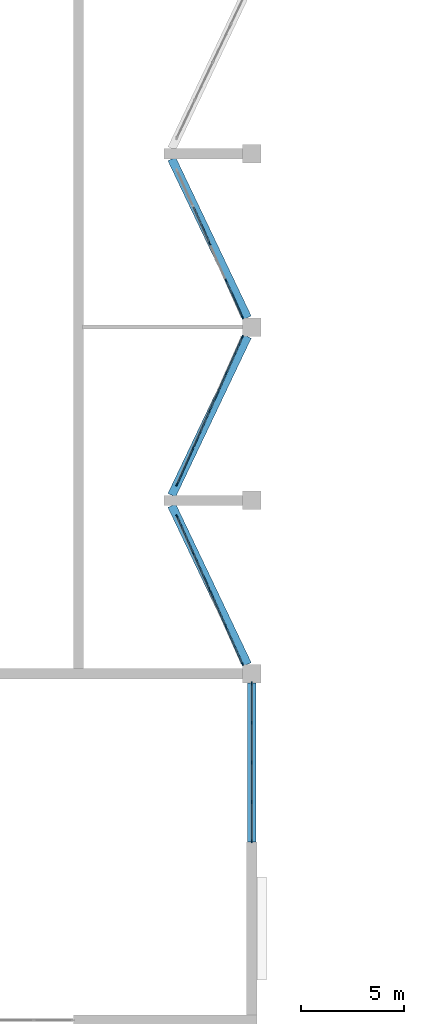
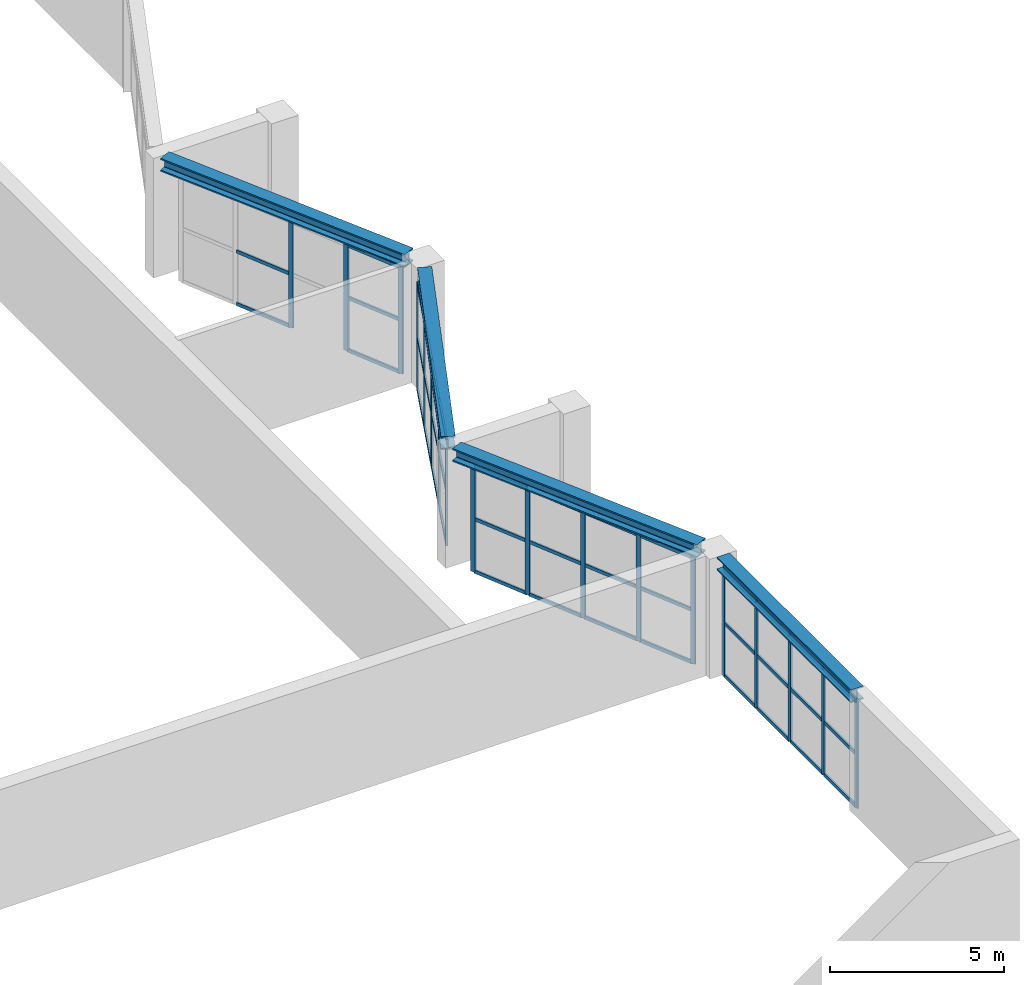
# One storey, part 21 of 51: 59 members, 4 beams, 4 elements without a shape of their own.
"""IFC4 building model written with IfcOpenShell, lengths in metres."""

from ifc_helpers import new_model, si_unit, direction, frame, origin, origin_2d, place, context, subcontext, project, spatial, rectangle, i_section, extrude, material, layer, layer_set, material_profile, profile_set, type_object, element, aggregate, save


model = new_model("IFC4")

# Units and contexts
model_context = context("Model", 3, precision=1e-05, world=origin(), true_north=direction((0.0, 1.0)))
body_context = subcontext(model_context, "Body", "Model", "MODEL_VIEW")
ifc_project = project(units=[si_unit("LENGTHUNIT", "METRE"), si_unit("AREAUNIT", "SQUARE_METRE"), si_unit("VOLUMEUNIT", "CUBIC_METRE"), si_unit("PLANEANGLEUNIT", "RADIAN"), si_unit("MASSUNIT", "GRAM", prefix="KILO")], contexts=[model_context])

# Site, building, storey
site_placement = place(None, origin())
site = spatial("IfcSite", under=ifc_project, at=site_placement, CompositionType="ELEMENT")
building_placement = place(site_placement, origin())
building = spatial("IfcBuilding", under=site, at=building_placement, Name="Cresset Court Congress Hotel", CompositionType="ELEMENT")
storey_placement = place(building_placement, frame((0.0, 0.0, 18.60009765625)))
storey = spatial("IfcBuildingStorey", under=building, at=storey_placement, Name="L04", CompositionType="ELEMENT", Elevation=18.60009765625)

# Curtain wall, members
ifc_material_1 = material(Name="Aluminium and glass", Category="aluminium")
ifc_layer = layer(ifc_material_1, 0.199951171875)
ifc_layer_set = layer_set([ifc_layer], Name="Clerestory curtain wall 1925 module")
curtain_wall_type = type_object("IfcCurtainWallType", Name="Clerestory curtain wall 1925 module", PredefinedType="NOTDEFINED", material=ifc_layer_set)
curtain_wall_1_placement = place(storey_placement, origin())
curtain_wall_1 = element("IfcCurtainWall", 1, at=curtain_wall_1_placement, inside=storey, type_object=curtain_wall_type, Name="Clerestory CX-04E1", PredefinedType="NOTDEFINED")
ifc_material_2 = material(Name="Anodised aluminium", Category="aluminium")
ifc_material_profile_1 = material_profile(ifc_material_2, rectangle(XDim=0.06005859375, YDim=0.159912109375, at=origin_2d()), Name="AL60x160")
ifc_profile_set_1 = profile_set([ifc_material_profile_1], Name="Anodised aluminium")
member_type_1 = type_object("IfcMemberType", Name="Curtain wall mullion 60x160", PredefinedType="MULLION", material=ifc_profile_set_1)
member_1_placement = place(storey_placement, frame((117.60009765625, 67.47998046875, 0.0), z_axis=(0.0, 0.0, 1.0), x_axis=(-1.0, 0.0, 0.0)))
member_1 = element("IfcMember", 2, at=member_1_placement, type_object=member_type_1, Name="C-X5 mullion 1", PredefinedType="MULLION", context=body_context, shape_type="SweptSolid", body=[
    extrude(rectangle(XDim=0.06005859375, YDim=0.159912109375, at=origin_2d()), origin(), (0.0, 0.0, 1.0), 3.741943359375),
])
member_2_placement = place(storey_placement, frame((117.60009765625, 69.375, 0.0), z_axis=(0.0, 0.0, 1.0), x_axis=(-1.0, 0.0, 0.0)))
member_2 = element("IfcMember", 3, at=member_2_placement, type_object=member_type_1, Name="C-X5 mullion 2", PredefinedType="MULLION", context=body_context, shape_type="SweptSolid", body=[
    extrude(rectangle(XDim=0.06005859375, YDim=0.159912109375, at=origin_2d()), origin(), (0.0, 0.0, 1.0), 3.741943359375),
])
member_3_placement = place(storey_placement, frame((117.60009765625, 71.300048828125, 0.0), z_axis=(0.0, 0.0, 1.0), x_axis=(-1.0, 0.0, 0.0)))
member_3 = element("IfcMember", 4, at=member_3_placement, type_object=member_type_1, Name="C-X5 mullion 3", PredefinedType="MULLION", context=body_context, shape_type="SweptSolid", body=[
    extrude(rectangle(XDim=0.06005859375, YDim=0.159912109375, at=origin_2d()), origin(), (0.0, 0.0, 1.0), 3.741943359375),
])
member_4_placement = place(storey_placement, frame((117.60009765625, 73.22509765625, 0.0), z_axis=(0.0, 0.0, 1.0), x_axis=(-1.0, 0.0, 0.0)))
member_4 = element("IfcMember", 5, at=member_4_placement, type_object=member_type_1, Name="C-X5 mullion 4", PredefinedType="MULLION", context=body_context, shape_type="SweptSolid", body=[
    extrude(rectangle(XDim=0.06005859375, YDim=0.159912109375, at=origin_2d()), origin(), (0.0, 0.0, 1.0), 3.741943359375),
])
member_5_placement = place(storey_placement, frame((117.60009765625, 75.1201171875, 0.0), z_axis=(0.0, 0.0, 1.0), x_axis=(-1.0, 0.0, 0.0)))
member_5 = element("IfcMember", 6, at=member_5_placement, type_object=member_type_1, Name="C-X5 mullion 5", PredefinedType="MULLION", context=body_context, shape_type="SweptSolid", body=[
    extrude(rectangle(XDim=0.06005859375, YDim=0.159912109375, at=origin_2d()), origin(), (0.0, 0.0, 1.0), 3.741943359375),
])

curtain_wall_2_placement = place(storey_placement, origin())
curtain_wall_2 = element("IfcCurtainWall", 7, at=curtain_wall_2_placement, inside=storey, type_object=curtain_wall_type, Name="Clerestory CX-04E2", PredefinedType="NOTDEFINED")
member_6_placement = place(storey_placement, frame((117.137939453125, 76.077392578125, 0.0), z_axis=(0.0, 0.0, 1.0), x_axis=(-0.914147820268, -0.405381009298, 0.0)))
member_6 = element("IfcMember", 8, at=member_6_placement, type_object=member_type_1, Name="C-X5 mullion 1", PredefinedType="MULLION", context=body_context, shape_type="SweptSolid", body=[
    extrude(rectangle(XDim=0.06005859375, YDim=0.159912109375, at=origin_2d()), origin(), (0.0, 0.0, 1.0), 3.741943359375),
])
member_7_placement = place(storey_placement, frame((116.351806640625, 77.85009765625, 0.0), z_axis=(0.0, 0.0, 1.0), x_axis=(-0.914147820268, -0.405381009298, 0.0)))
member_7 = element("IfcMember", 9, at=member_7_placement, type_object=member_type_1, Name="C-X5 mullion 2", PredefinedType="MULLION", context=body_context, shape_type="SweptSolid", body=[
    extrude(rectangle(XDim=0.06005859375, YDim=0.159912109375, at=origin_2d()), origin(), (0.0, 0.0, 1.0), 3.741943359375),
])
member_8_placement = place(storey_placement, frame((115.553466796875, 79.64990234375, 0.0), z_axis=(0.0, 0.0, 1.0), x_axis=(-0.914147820268, -0.405381009298, 0.0)))
member_8 = element("IfcMember", 10, at=member_8_placement, type_object=member_type_1, Name="C-X5 mullion 3", PredefinedType="MULLION", context=body_context, shape_type="SweptSolid", body=[
    extrude(rectangle(XDim=0.06005859375, YDim=0.159912109375, at=origin_2d()), origin(), (0.0, 0.0, 1.0), 3.741943359375),
])
member_9_placement = place(storey_placement, frame((114.75537109375, 81.449951171875, 0.0), z_axis=(0.0, 0.0, 1.0), x_axis=(-0.914147820268, -0.405381009298, 0.0)))
member_9 = element("IfcMember", 11, at=member_9_placement, type_object=member_type_1, Name="C-X5 mullion 4", PredefinedType="MULLION", context=body_context, shape_type="SweptSolid", body=[
    extrude(rectangle(XDim=0.06005859375, YDim=0.159912109375, at=origin_2d()), origin(), (0.0, 0.0, 1.0), 3.741943359375),
])
member_10_placement = place(storey_placement, frame((113.96923828125, 83.22265625, 0.0), z_axis=(0.0, 0.0, 1.0), x_axis=(-0.914147820268, -0.405381009298, 0.0)))
member_10 = element("IfcMember", 12, at=member_10_placement, type_object=member_type_1, Name="C-X5 mullion 5", PredefinedType="MULLION", context=body_context, shape_type="SweptSolid", body=[
    extrude(rectangle(XDim=0.06005859375, YDim=0.159912109375, at=origin_2d()), origin(), (0.0, 0.0, 1.0), 3.741943359375),
])

curtain_wall_3_placement = place(storey_placement, origin())
curtain_wall_3 = element("IfcCurtainWall", 13, at=curtain_wall_3_placement, inside=storey, type_object=curtain_wall_type, Name="Clerestory CX-04E3", PredefinedType="NOTDEFINED")
member_11_placement = place(storey_placement, frame((113.96923828125, 84.77734375, 0.0), z_axis=(0.0, 0.0, 1.0), x_axis=(-0.914147820268, 0.405381009298, 0.0)))
member_11 = element("IfcMember", 14, at=member_11_placement, type_object=member_type_1, Name="C-X5 mullion 1", PredefinedType="MULLION", context=body_context, shape_type="SweptSolid", body=[
    extrude(rectangle(XDim=0.06005859375, YDim=0.159912109375, at=origin_2d()), origin(), (0.0, 0.0, 1.0), 3.741943359375),
])
member_12_placement = place(storey_placement, frame((114.75537109375, 86.550048828125, 0.0), z_axis=(0.0, 0.0, 1.0), x_axis=(-0.914147820268, 0.405381009298, 0.0)))
member_12 = element("IfcMember", 15, at=member_12_placement, type_object=member_type_1, Name="C-X5 mullion 2", PredefinedType="MULLION", context=body_context, shape_type="SweptSolid", body=[
    extrude(rectangle(XDim=0.06005859375, YDim=0.159912109375, at=origin_2d()), origin(), (0.0, 0.0, 1.0), 3.741943359375),
])
member_13_placement = place(storey_placement, frame((115.553466796875, 88.35009765625, 0.0), z_axis=(0.0, 0.0, 1.0), x_axis=(-0.914147820268, 0.405381009298, 0.0)))
member_13 = element("IfcMember", 16, at=member_13_placement, type_object=member_type_1, Name="C-X5 mullion 3", PredefinedType="MULLION", context=body_context, shape_type="SweptSolid", body=[
    extrude(rectangle(XDim=0.06005859375, YDim=0.159912109375, at=origin_2d()), origin(), (0.0, 0.0, 1.0), 3.741943359375),
])
member_14_placement = place(storey_placement, frame((116.351806640625, 90.14990234375, 0.0), z_axis=(0.0, 0.0, 1.0), x_axis=(-0.914147820268, 0.405381009298, 0.0)))
member_14 = element("IfcMember", 17, at=member_14_placement, type_object=member_type_1, Name="C-X5 mullion 4", PredefinedType="MULLION", context=body_context, shape_type="SweptSolid", body=[
    extrude(rectangle(XDim=0.06005859375, YDim=0.159912109375, at=origin_2d()), origin(), (0.0, 0.0, 1.0), 3.741943359375),
])
member_15_placement = place(storey_placement, frame((117.137939453125, 91.922607421875, 0.0), z_axis=(0.0, 0.0, 1.0), x_axis=(-0.914147820268, 0.405381009298, 0.0)))
member_15 = element("IfcMember", 18, at=member_15_placement, type_object=member_type_1, Name="C-X5 mullion 5", PredefinedType="MULLION", context=body_context, shape_type="SweptSolid", body=[
    extrude(rectangle(XDim=0.06005859375, YDim=0.159912109375, at=origin_2d()), origin(), (0.0, 0.0, 1.0), 3.741943359375),
])

curtain_wall_4_placement = place(storey_placement, origin())
curtain_wall_4 = element("IfcCurtainWall", 19, at=curtain_wall_4_placement, inside=storey, type_object=curtain_wall_type, Name="Clerestory CX-04E4", PredefinedType="NOTDEFINED")
member_16_placement = place(storey_placement, frame((117.137939453125, 92.87744140625, 0.0), z_axis=(0.0, 0.0, 1.0), x_axis=(-0.914147820268, -0.405381009298, 0.0)))
member_16 = element("IfcMember", 20, at=member_16_placement, type_object=member_type_1, Name="C-X5 mullion 1", PredefinedType="MULLION", context=body_context, shape_type="SweptSolid", body=[
    extrude(rectangle(XDim=0.06005859375, YDim=0.159912109375, at=origin_2d()), origin(), (0.0, 0.0, 1.0), 3.741943359375),
])
member_17_placement = place(storey_placement, frame((116.351806640625, 94.64990234375, 0.0), z_axis=(0.0, 0.0, 1.0), x_axis=(-0.914147820268, -0.405381009298, 0.0)))
member_17 = element("IfcMember", 21, at=member_17_placement, type_object=member_type_1, Name="C-X5 mullion 2", PredefinedType="MULLION", context=body_context, shape_type="SweptSolid", body=[
    extrude(rectangle(XDim=0.06005859375, YDim=0.159912109375, at=origin_2d()), origin(), (0.0, 0.0, 1.0), 3.741943359375),
])
member_18_placement = place(storey_placement, frame((115.553466796875, 96.449951171875, 0.0), z_axis=(0.0, 0.0, 1.0), x_axis=(-0.914147820268, -0.405381009298, 0.0)))
member_18 = element("IfcMember", 22, at=member_18_placement, type_object=member_type_1, Name="C-X5 mullion 3", PredefinedType="MULLION", context=body_context, shape_type="SweptSolid", body=[
    extrude(rectangle(XDim=0.06005859375, YDim=0.159912109375, at=origin_2d()), origin(), (0.0, 0.0, 1.0), 3.741943359375),
])

# Member
ifc_material_3 = material(Name="Anodised aluminium", Category="aluminium")
ifc_material_profile_2 = material_profile(ifc_material_3, rectangle(XDim=0.06005859375, YDim=0.1201171875, at=origin_2d()), Name="AL60x120")
ifc_profile_set_2 = profile_set([ifc_material_profile_2], Name="Anodised aluminium")
member_type_2 = type_object("IfcMemberType", Name="Curtain wall transom 60x120", PredefinedType="USERDEFINED", material=ifc_profile_set_2)
member_19_placement = place(storey_placement, frame((117.60009765625, 67.510009765625, 0.02978515625), z_axis=(0.0, 1.0, 0.0), x_axis=(-1.0, 0.0, 0.0)))
member_19 = element("IfcMember", 23, at=member_19_placement, type_object=member_type_2, Name="C-X5 transom 1.1", ObjectType="TRANSOM", PredefinedType="USERDEFINED", context=body_context, shape_type="SweptSolid", body=[
    extrude(rectangle(XDim=0.06005859375, YDim=0.1201171875, at=origin_2d()), origin(), (0.0, 0.0, 1.0), 1.8349609375),
])

member_20_placement = place(storey_placement, frame((117.60009765625, 67.510009765625, 1.870849609375), z_axis=(0.0, 1.0, 0.0), x_axis=(-1.0, 0.0, 0.0)))
member_20 = element("IfcMember", 24, at=member_20_placement, type_object=member_type_2, Name="C-X5 transom 1.2", ObjectType="TRANSOM", PredefinedType="USERDEFINED", context=body_context, shape_type="SweptSolid", body=[
    extrude(rectangle(XDim=0.06005859375, YDim=0.1201171875, at=origin_2d()), origin(), (0.0, 0.0, 1.0), 1.8349609375),
])

member_21_placement = place(storey_placement, frame((117.60009765625, 67.510009765625, 3.7119140625), z_axis=(0.0, 1.0, 0.0), x_axis=(-1.0, 0.0, 0.0)))
member_21 = element("IfcMember", 25, at=member_21_placement, type_object=member_type_2, Name="C-X5 transom 1.3", ObjectType="TRANSOM", PredefinedType="USERDEFINED", context=body_context, shape_type="SweptSolid", body=[
    extrude(rectangle(XDim=0.06005859375, YDim=0.1201171875, at=origin_2d()), origin(), (0.0, 0.0, 1.0), 1.8349609375),
])

member_22_placement = place(storey_placement, frame((117.60009765625, 69.405029296875, 0.02978515625), z_axis=(0.0, 1.0, 0.0), x_axis=(-1.0, 0.0, 0.0)))
member_22 = element("IfcMember", 26, at=member_22_placement, type_object=member_type_2, Name="C-X5 transom 2.1", ObjectType="TRANSOM", PredefinedType="USERDEFINED", context=body_context, shape_type="SweptSolid", body=[
    extrude(rectangle(XDim=0.06005859375, YDim=0.1201171875, at=origin_2d()), origin(), (0.0, 0.0, 1.0), 1.864990234375),
])

member_23_placement = place(storey_placement, frame((117.60009765625, 69.405029296875, 1.870849609375), z_axis=(0.0, 1.0, 0.0), x_axis=(-1.0, 0.0, 0.0)))
member_23 = element("IfcMember", 27, at=member_23_placement, type_object=member_type_2, Name="C-X5 transom 2.2", ObjectType="TRANSOM", PredefinedType="USERDEFINED", context=body_context, shape_type="SweptSolid", body=[
    extrude(rectangle(XDim=0.06005859375, YDim=0.1201171875, at=origin_2d()), origin(), (0.0, 0.0, 1.0), 1.864990234375),
])

member_24_placement = place(storey_placement, frame((117.60009765625, 69.405029296875, 3.7119140625), z_axis=(0.0, 1.0, 0.0), x_axis=(-1.0, 0.0, 0.0)))
member_24 = element("IfcMember", 28, at=member_24_placement, type_object=member_type_2, Name="C-X5 transom 2.3", ObjectType="TRANSOM", PredefinedType="USERDEFINED", context=body_context, shape_type="SweptSolid", body=[
    extrude(rectangle(XDim=0.06005859375, YDim=0.1201171875, at=origin_2d()), origin(), (0.0, 0.0, 1.0), 1.864990234375),
])

member_25_placement = place(storey_placement, frame((117.60009765625, 71.330078125, 0.02978515625), z_axis=(0.0, 1.0, 0.0), x_axis=(-1.0, 0.0, 0.0)))
member_25 = element("IfcMember", 29, at=member_25_placement, type_object=member_type_2, Name="C-X5 transom 3.1", ObjectType="TRANSOM", PredefinedType="USERDEFINED", context=body_context, shape_type="SweptSolid", body=[
    extrude(rectangle(XDim=0.06005859375, YDim=0.1201171875, at=origin_2d()), origin(), (0.0, 0.0, 1.0), 1.864990234375),
])

member_26_placement = place(storey_placement, frame((117.60009765625, 71.330078125, 1.870849609375), z_axis=(0.0, 1.0, 0.0), x_axis=(-1.0, 0.0, 0.0)))
member_26 = element("IfcMember", 30, at=member_26_placement, type_object=member_type_2, Name="C-X5 transom 3.2", ObjectType="TRANSOM", PredefinedType="USERDEFINED", context=body_context, shape_type="SweptSolid", body=[
    extrude(rectangle(XDim=0.06005859375, YDim=0.1201171875, at=origin_2d()), origin(), (0.0, 0.0, 1.0), 1.864990234375),
])

member_27_placement = place(storey_placement, frame((117.60009765625, 71.330078125, 3.7119140625), z_axis=(0.0, 1.0, 0.0), x_axis=(-1.0, 0.0, 0.0)))
member_27 = element("IfcMember", 31, at=member_27_placement, type_object=member_type_2, Name="C-X5 transom 3.3", ObjectType="TRANSOM", PredefinedType="USERDEFINED", context=body_context, shape_type="SweptSolid", body=[
    extrude(rectangle(XDim=0.06005859375, YDim=0.1201171875, at=origin_2d()), origin(), (0.0, 0.0, 1.0), 1.864990234375),
])

member_28_placement = place(storey_placement, frame((117.60009765625, 73.2548828125, 0.02978515625), z_axis=(0.0, 1.0, 0.0), x_axis=(-1.0, 0.0, 0.0)))
member_28 = element("IfcMember", 32, at=member_28_placement, type_object=member_type_2, Name="C-X5 transom 4.1", ObjectType="TRANSOM", PredefinedType="USERDEFINED", context=body_context, shape_type="SweptSolid", body=[
    extrude(rectangle(XDim=0.06005859375, YDim=0.1201171875, at=origin_2d()), origin(), (0.0, 0.0, 1.0), 1.835205078125),
])

member_29_placement = place(storey_placement, frame((117.60009765625, 73.2548828125, 1.870849609375), z_axis=(0.0, 1.0, 0.0), x_axis=(-1.0, 0.0, 0.0)))
member_29 = element("IfcMember", 33, at=member_29_placement, type_object=member_type_2, Name="C-X5 transom 4.2", ObjectType="TRANSOM", PredefinedType="USERDEFINED", context=body_context, shape_type="SweptSolid", body=[
    extrude(rectangle(XDim=0.06005859375, YDim=0.1201171875, at=origin_2d()), origin(), (0.0, 0.0, 1.0), 1.835205078125),
])

member_30_placement = place(storey_placement, frame((117.60009765625, 73.2548828125, 3.7119140625), z_axis=(0.0, 1.0, 0.0), x_axis=(-1.0, 0.0, 0.0)))
member_30 = element("IfcMember", 34, at=member_30_placement, type_object=member_type_2, Name="C-X5 transom 4.3", ObjectType="TRANSOM", PredefinedType="USERDEFINED", context=body_context, shape_type="SweptSolid", body=[
    extrude(rectangle(XDim=0.06005859375, YDim=0.1201171875, at=origin_2d()), origin(), (0.0, 0.0, 1.0), 1.835205078125),
])

aggregate(curtain_wall_1, [member_1, member_2, member_3, member_4, member_5, member_19, member_20, member_21, member_22, member_23, member_24, member_25, member_26, member_27, member_28, member_29, member_30])

member_31_placement = place(storey_placement, frame((117.125732421875, 76.104736328125, 0.02978515625), z_axis=(-0.405366806366, 0.914154118459, 0.0), x_axis=(-0.914154118459, -0.405366806366, 0.0)))
member_31 = element("IfcMember", 35, at=member_31_placement, type_object=member_type_2, Name="C-X5 transom 1.1", ObjectType="TRANSOM", PredefinedType="USERDEFINED", context=body_context, shape_type="SweptSolid", body=[
    extrude(rectangle(XDim=0.06005859375, YDim=0.1201171875, at=origin_2d()), origin(), (0.0, 0.0, 1.0), 1.879150390625),
])

member_32_placement = place(storey_placement, frame((117.125732421875, 76.104736328125, 1.870849609375), z_axis=(-0.405366806366, 0.914154118459, 0.0), x_axis=(-0.914154118459, -0.405366806366, 0.0)))
member_32 = element("IfcMember", 36, at=member_32_placement, type_object=member_type_2, Name="C-X5 transom 1.2", ObjectType="TRANSOM", PredefinedType="USERDEFINED", context=body_context, shape_type="SweptSolid", body=[
    extrude(rectangle(XDim=0.06005859375, YDim=0.1201171875, at=origin_2d()), origin(), (0.0, 0.0, 1.0), 1.879150390625),
])

member_33_placement = place(storey_placement, frame((117.125732421875, 76.104736328125, 3.7119140625), z_axis=(-0.405366806366, 0.914154118459, 0.0), x_axis=(-0.914154118459, -0.405366806366, 0.0)))
member_33 = element("IfcMember", 37, at=member_33_placement, type_object=member_type_2, Name="C-X5 transom 1.3", ObjectType="TRANSOM", PredefinedType="USERDEFINED", context=body_context, shape_type="SweptSolid", body=[
    extrude(rectangle(XDim=0.06005859375, YDim=0.1201171875, at=origin_2d()), origin(), (0.0, 0.0, 1.0), 1.879150390625),
])

member_34_placement = place(storey_placement, frame((116.339599609375, 77.87744140625, 0.02978515625), z_axis=(-0.405402653015, 0.914138222004, 0.0), x_axis=(-0.914138222004, -0.405402653015, 0.0)))
member_34 = element("IfcMember", 38, at=member_34_placement, type_object=member_type_2, Name="C-X5 transom 2.1", ObjectType="TRANSOM", PredefinedType="USERDEFINED", context=body_context, shape_type="SweptSolid", body=[
    extrude(rectangle(XDim=0.06005859375, YDim=0.1201171875, at=origin_2d()), origin(), (0.0, 0.0, 1.0), 1.908935546875),
])

member_35_placement = place(storey_placement, frame((116.339599609375, 77.87744140625, 1.870849609375), z_axis=(-0.405402653015, 0.914138222004, 0.0), x_axis=(-0.914138222004, -0.405402653015, 0.0)))
member_35 = element("IfcMember", 39, at=member_35_placement, type_object=member_type_2, Name="C-X5 transom 2.2", ObjectType="TRANSOM", PredefinedType="USERDEFINED", context=body_context, shape_type="SweptSolid", body=[
    extrude(rectangle(XDim=0.06005859375, YDim=0.1201171875, at=origin_2d()), origin(), (0.0, 0.0, 1.0), 1.908935546875),
])

member_36_placement = place(storey_placement, frame((116.339599609375, 77.87744140625, 3.7119140625), z_axis=(-0.405402653015, 0.914138222004, 0.0), x_axis=(-0.914138222004, -0.405402653015, 0.0)))
member_36 = element("IfcMember", 40, at=member_36_placement, type_object=member_type_2, Name="C-X5 transom 2.3", ObjectType="TRANSOM", PredefinedType="USERDEFINED", context=body_context, shape_type="SweptSolid", body=[
    extrude(rectangle(XDim=0.06005859375, YDim=0.1201171875, at=origin_2d()), origin(), (0.0, 0.0, 1.0), 1.908935546875),
])

member_37_placement = place(storey_placement, frame((115.54150390625, 79.677490234375, 0.02978515625), z_axis=(-0.405402653015, 0.914138222004, 0.0), x_axis=(-0.914138222004, -0.405402653015, 0.0)))
member_37 = element("IfcMember", 41, at=member_37_placement, type_object=member_type_2, Name="C-X5 transom 3.1", ObjectType="TRANSOM", PredefinedType="USERDEFINED", context=body_context, shape_type="SweptSolid", body=[
    extrude(rectangle(XDim=0.06005859375, YDim=0.1201171875, at=origin_2d()), origin(), (0.0, 0.0, 1.0), 1.908935546875),
])

member_38_placement = place(storey_placement, frame((115.54150390625, 79.677490234375, 1.870849609375), z_axis=(-0.405402653015, 0.914138222004, 0.0), x_axis=(-0.914138222004, -0.405402653015, 0.0)))
member_38 = element("IfcMember", 42, at=member_38_placement, type_object=member_type_2, Name="C-X5 transom 3.2", ObjectType="TRANSOM", PredefinedType="USERDEFINED", context=body_context, shape_type="SweptSolid", body=[
    extrude(rectangle(XDim=0.06005859375, YDim=0.1201171875, at=origin_2d()), origin(), (0.0, 0.0, 1.0), 1.908935546875),
])

member_39_placement = place(storey_placement, frame((115.54150390625, 79.677490234375, 3.7119140625), z_axis=(-0.405402653015, 0.914138222004, 0.0), x_axis=(-0.914138222004, -0.405402653015, 0.0)))
member_39 = element("IfcMember", 43, at=member_39_placement, type_object=member_type_2, Name="C-X5 transom 3.3", ObjectType="TRANSOM", PredefinedType="USERDEFINED", context=body_context, shape_type="SweptSolid", body=[
    extrude(rectangle(XDim=0.06005859375, YDim=0.1201171875, at=origin_2d()), origin(), (0.0, 0.0, 1.0), 1.908935546875),
])

member_40_placement = place(storey_placement, frame((114.7431640625, 81.4775390625, 0.02978515625), z_axis=(-0.405414957632, 0.914132765045, 0.0), x_axis=(-0.914132765045, -0.405414957632, 0.0)))
member_40 = element("IfcMember", 44, at=member_40_placement, type_object=member_type_2, Name="C-X5 transom 4.1", ObjectType="TRANSOM", PredefinedType="USERDEFINED", context=body_context, shape_type="SweptSolid", body=[
    extrude(rectangle(XDim=0.06005859375, YDim=0.1201171875, at=origin_2d()), origin(), (0.0, 0.0, 1.0), 1.87890625),
])

member_41_placement = place(storey_placement, frame((114.7431640625, 81.4775390625, 1.870849609375), z_axis=(-0.405414957632, 0.914132765045, 0.0), x_axis=(-0.914132765045, -0.405414957632, 0.0)))
member_41 = element("IfcMember", 45, at=member_41_placement, type_object=member_type_2, Name="C-X5 transom 4.2", ObjectType="TRANSOM", PredefinedType="USERDEFINED", context=body_context, shape_type="SweptSolid", body=[
    extrude(rectangle(XDim=0.06005859375, YDim=0.1201171875, at=origin_2d()), origin(), (0.0, 0.0, 1.0), 1.87890625),
])

member_42_placement = place(storey_placement, frame((114.7431640625, 81.4775390625, 3.7119140625), z_axis=(-0.405414957632, 0.914132765045, 0.0), x_axis=(-0.914132765045, -0.405414957632, 0.0)))
member_42 = element("IfcMember", 46, at=member_42_placement, type_object=member_type_2, Name="C-X5 transom 4.3", ObjectType="TRANSOM", PredefinedType="USERDEFINED", context=body_context, shape_type="SweptSolid", body=[
    extrude(rectangle(XDim=0.06005859375, YDim=0.1201171875, at=origin_2d()), origin(), (0.0, 0.0, 1.0), 1.87890625),
])

aggregate(curtain_wall_2, [member_6, member_7, member_8, member_9, member_10, member_31, member_32, member_33, member_34, member_35, member_36, member_37, member_38, member_39, member_40, member_41, member_42])

member_43_placement = place(storey_placement, frame((113.9814453125, 84.804931640625, 0.02978515625), z_axis=(0.405414957632, 0.914132765045, 0.0), x_axis=(-0.914132765045, 0.405414957632, 0.0)))
member_43 = element("IfcMember", 47, at=member_43_placement, type_object=member_type_2, Name="C-X5 transom 1.1", ObjectType="TRANSOM", PredefinedType="USERDEFINED", context=body_context, shape_type="SweptSolid", body=[
    extrude(rectangle(XDim=0.06005859375, YDim=0.1201171875, at=origin_2d()), origin(), (0.0, 0.0, 1.0), 1.87890625),
])

member_44_placement = place(storey_placement, frame((113.9814453125, 84.804931640625, 1.870849609375), z_axis=(0.405414957632, 0.914132765045, 0.0), x_axis=(-0.914132765045, 0.405414957632, 0.0)))
member_44 = element("IfcMember", 48, at=member_44_placement, type_object=member_type_2, Name="C-X5 transom 1.2", ObjectType="TRANSOM", PredefinedType="USERDEFINED", context=body_context, shape_type="SweptSolid", body=[
    extrude(rectangle(XDim=0.06005859375, YDim=0.1201171875, at=origin_2d()), origin(), (0.0, 0.0, 1.0), 1.87890625),
])

member_45_placement = place(storey_placement, frame((113.9814453125, 84.804931640625, 3.7119140625), z_axis=(0.405414957632, 0.914132765045, 0.0), x_axis=(-0.914132765045, 0.405414957632, 0.0)))
member_45 = element("IfcMember", 49, at=member_45_placement, type_object=member_type_2, Name="C-X5 transom 1.3", ObjectType="TRANSOM", PredefinedType="USERDEFINED", context=body_context, shape_type="SweptSolid", body=[
    extrude(rectangle(XDim=0.06005859375, YDim=0.1201171875, at=origin_2d()), origin(), (0.0, 0.0, 1.0), 1.87890625),
])

member_46_placement = place(storey_placement, frame((114.767578125, 86.577392578125, 0.02978515625), z_axis=(0.405402653015, 0.914138222004, 0.0), x_axis=(-0.914138222004, 0.405402653015, 0.0)))
member_46 = element("IfcMember", 50, at=member_46_placement, type_object=member_type_2, Name="C-X5 transom 2.1", ObjectType="TRANSOM", PredefinedType="USERDEFINED", context=body_context, shape_type="SweptSolid", body=[
    extrude(rectangle(XDim=0.06005859375, YDim=0.1201171875, at=origin_2d()), origin(), (0.0, 0.0, 1.0), 1.908935546875),
])

member_47_placement = place(storey_placement, frame((114.767578125, 86.577392578125, 1.870849609375), z_axis=(0.405402653015, 0.914138222004, 0.0), x_axis=(-0.914138222004, 0.405402653015, 0.0)))
member_47 = element("IfcMember", 51, at=member_47_placement, type_object=member_type_2, Name="C-X5 transom 2.2", ObjectType="TRANSOM", PredefinedType="USERDEFINED", context=body_context, shape_type="SweptSolid", body=[
    extrude(rectangle(XDim=0.06005859375, YDim=0.1201171875, at=origin_2d()), origin(), (0.0, 0.0, 1.0), 1.908935546875),
])

member_48_placement = place(storey_placement, frame((114.767578125, 86.577392578125, 3.7119140625), z_axis=(0.405402653015, 0.914138222004, 0.0), x_axis=(-0.914138222004, 0.405402653015, 0.0)))
member_48 = element("IfcMember", 52, at=member_48_placement, type_object=member_type_2, Name="C-X5 transom 2.3", ObjectType="TRANSOM", PredefinedType="USERDEFINED", context=body_context, shape_type="SweptSolid", body=[
    extrude(rectangle(XDim=0.06005859375, YDim=0.1201171875, at=origin_2d()), origin(), (0.0, 0.0, 1.0), 1.908935546875),
])

member_49_placement = place(storey_placement, frame((115.565673828125, 88.37744140625, 0.02978515625), z_axis=(0.405402653015, 0.914138222004, 0.0), x_axis=(-0.914138222004, 0.405402653015, 0.0)))
member_49 = element("IfcMember", 53, at=member_49_placement, type_object=member_type_2, Name="C-X5 transom 3.1", ObjectType="TRANSOM", PredefinedType="USERDEFINED", context=body_context, shape_type="SweptSolid", body=[
    extrude(rectangle(XDim=0.06005859375, YDim=0.1201171875, at=origin_2d()), origin(), (0.0, 0.0, 1.0), 1.908935546875),
])

member_50_placement = place(storey_placement, frame((115.565673828125, 88.37744140625, 1.870849609375), z_axis=(0.405402653015, 0.914138222004, 0.0), x_axis=(-0.914138222004, 0.405402653015, 0.0)))
member_50 = element("IfcMember", 54, at=member_50_placement, type_object=member_type_2, Name="C-X5 transom 3.2", ObjectType="TRANSOM", PredefinedType="USERDEFINED", context=body_context, shape_type="SweptSolid", body=[
    extrude(rectangle(XDim=0.06005859375, YDim=0.1201171875, at=origin_2d()), origin(), (0.0, 0.0, 1.0), 1.908935546875),
])

member_51_placement = place(storey_placement, frame((115.565673828125, 88.37744140625, 3.7119140625), z_axis=(0.405402653015, 0.914138222004, 0.0), x_axis=(-0.914138222004, 0.405402653015, 0.0)))
member_51 = element("IfcMember", 55, at=member_51_placement, type_object=member_type_2, Name="C-X5 transom 3.3", ObjectType="TRANSOM", PredefinedType="USERDEFINED", context=body_context, shape_type="SweptSolid", body=[
    extrude(rectangle(XDim=0.06005859375, YDim=0.1201171875, at=origin_2d()), origin(), (0.0, 0.0, 1.0), 1.908935546875),
])

member_52_placement = place(storey_placement, frame((116.364013671875, 90.177490234375, 0.02978515625), z_axis=(0.405366806366, 0.914154118459, 0.0), x_axis=(-0.914154118459, 0.405366806366, 0.0)))
member_52 = element("IfcMember", 56, at=member_52_placement, type_object=member_type_2, Name="C-X5 transom 4.1", ObjectType="TRANSOM", PredefinedType="USERDEFINED", context=body_context, shape_type="SweptSolid", body=[
    extrude(rectangle(XDim=0.06005859375, YDim=0.1201171875, at=origin_2d()), origin(), (0.0, 0.0, 1.0), 1.879150390625),
])

member_53_placement = place(storey_placement, frame((116.364013671875, 90.177490234375, 1.870849609375), z_axis=(0.405366806366, 0.914154118459, 0.0), x_axis=(-0.914154118459, 0.405366806366, 0.0)))
member_53 = element("IfcMember", 57, at=member_53_placement, type_object=member_type_2, Name="C-X5 transom 4.2", ObjectType="TRANSOM", PredefinedType="USERDEFINED", context=body_context, shape_type="SweptSolid", body=[
    extrude(rectangle(XDim=0.06005859375, YDim=0.1201171875, at=origin_2d()), origin(), (0.0, 0.0, 1.0), 1.879150390625),
])

member_54_placement = place(storey_placement, frame((116.364013671875, 90.177490234375, 3.7119140625), z_axis=(0.405366806366, 0.914154118459, 0.0), x_axis=(-0.914154118459, 0.405366806366, 0.0)))
member_54 = element("IfcMember", 58, at=member_54_placement, type_object=member_type_2, Name="C-X5 transom 4.3", ObjectType="TRANSOM", PredefinedType="USERDEFINED", context=body_context, shape_type="SweptSolid", body=[
    extrude(rectangle(XDim=0.06005859375, YDim=0.1201171875, at=origin_2d()), origin(), (0.0, 0.0, 1.0), 1.879150390625),
])

aggregate(curtain_wall_3, [member_11, member_12, member_13, member_14, member_15, member_43, member_44, member_45, member_46, member_47, member_48, member_49, member_50, member_51, member_52, member_53, member_54])

member_55_placement = place(storey_placement, frame((117.125732421875, 92.90478515625, 0.02978515625), z_axis=(-0.405366806366, 0.914154118459, 0.0), x_axis=(-0.914154118459, -0.405366806366, 0.0)))
member_55 = element("IfcMember", 59, at=member_55_placement, type_object=member_type_2, Name="C-X5 transom 1.1", ObjectType="TRANSOM", PredefinedType="USERDEFINED", context=body_context, shape_type="SweptSolid", body=[
    extrude(rectangle(XDim=0.06005859375, YDim=0.1201171875, at=origin_2d()), origin(), (0.0, 0.0, 1.0), 1.879150390625),
])

member_56_placement = place(storey_placement, frame((117.125732421875, 92.90478515625, 1.870849609375), z_axis=(-0.405366806366, 0.914154118459, 0.0), x_axis=(-0.914154118459, -0.405366806366, 0.0)))
member_56 = element("IfcMember", 60, at=member_56_placement, type_object=member_type_2, Name="C-X5 transom 1.2", ObjectType="TRANSOM", PredefinedType="USERDEFINED", context=body_context, shape_type="SweptSolid", body=[
    extrude(rectangle(XDim=0.06005859375, YDim=0.1201171875, at=origin_2d()), origin(), (0.0, 0.0, 1.0), 1.879150390625),
])

member_57_placement = place(storey_placement, frame((117.125732421875, 92.90478515625, 3.7119140625), z_axis=(-0.405366806366, 0.914154118459, 0.0), x_axis=(-0.914154118459, -0.405366806366, 0.0)))
member_57 = element("IfcMember", 61, at=member_57_placement, type_object=member_type_2, Name="C-X5 transom 1.3", ObjectType="TRANSOM", PredefinedType="USERDEFINED", context=body_context, shape_type="SweptSolid", body=[
    extrude(rectangle(XDim=0.06005859375, YDim=0.1201171875, at=origin_2d()), origin(), (0.0, 0.0, 1.0), 1.879150390625),
])

member_58_placement = place(storey_placement, frame((115.54150390625, 96.4775390625, 0.02978515625), z_axis=(-0.405402653015, 0.914138222004, 0.0), x_axis=(-0.914138222004, -0.405402653015, 0.0)))
member_58 = element("IfcMember", 62, at=member_58_placement, type_object=member_type_2, Name="C-X5 transom 3.1", ObjectType="TRANSOM", PredefinedType="USERDEFINED", context=body_context, shape_type="SweptSolid", body=[
    extrude(rectangle(XDim=0.06005859375, YDim=0.1201171875, at=origin_2d()), origin(), (0.0, 0.0, 1.0), 1.908935546875),
])

member_59_placement = place(storey_placement, frame((115.54150390625, 96.4775390625, 1.870849609375), z_axis=(-0.405402653015, 0.914138222004, 0.0), x_axis=(-0.914138222004, -0.405402653015, 0.0)))
member_59 = element("IfcMember", 63, at=member_59_placement, type_object=member_type_2, Name="C-X5 transom 3.2", ObjectType="TRANSOM", PredefinedType="USERDEFINED", context=body_context, shape_type="SweptSolid", body=[
    extrude(rectangle(XDim=0.06005859375, YDim=0.1201171875, at=origin_2d()), origin(), (0.0, 0.0, 1.0), 1.908935546875),
])

aggregate(curtain_wall_4, [member_16, member_17, member_18, member_55, member_56, member_57, member_58, member_59])

# Beams
ifc_material_4 = material(Name="Structural steel Q355B", Category="steel")
ifc_material_profile_3 = material_profile(ifc_material_4, i_section(OverallWidth=0.4169921875, OverallDepth=0.4580078125, WebThickness=0.030029296875, FlangeThickness=0.050048828125, FilletRadius=0.02197265625, at=origin_2d()), Name="HW458x417x30x50")
ifc_profile_set_3 = profile_set([ifc_material_profile_3], Name="Structural steel Q355B")
beam_type = type_object("IfcBeamType", Name="Steel HW458x417x30x50 lintel", PredefinedType="BEAM", material=ifc_profile_set_3)
beam_placement = place(storey_placement, frame((117.60009765625, 67.449951171875, 3.970947265625), z_axis=(0.0, 1.0, 0.0), x_axis=(-1.0, 0.0, 0.0)))
element("IfcBeam", 64, at=beam_placement, inside=storey, type_object=beam_type, Name="Lintel CL-E1", PredefinedType="BEAM", context=body_context, shape_type="SweptSolid", body=[
    extrude(i_section(OverallWidth=0.4169921875, OverallDepth=0.4580078125, WebThickness=0.030029296875, FlangeThickness=0.050048828125, FilletRadius=0.02197265625, at=origin_2d()), origin(), (0.0, 0.0, 1.0), 7.699951171875),
])
for number, where, z_axis, x_axis, name in (
    (65, (117.3857421875, 76.050048828125, 3.970947265625), (-0.429943581172, 0.90285575648, 0.0), (-0.90285575648, -0.429943581172, 0.0), "Lintel CL-E2"),
    (66, (113.718994140625, 84.25, 3.970947265625), (0.429943581172, 0.90285575648, 0.0), (-0.90285575648, 0.429943581172, 0.0), "Lintel CL-E3"),
    (67, (117.3857421875, 92.85009765625, 3.970947265625), (-0.429943581172, 0.90285575648, 0.0), (-0.90285575648, -0.429943581172, 0.0), "Lintel CL-E4"),
):
    element("IfcBeam", number, at=place(storey_placement, frame(where, z_axis=z_axis, x_axis=x_axis)), inside=storey, type_object=beam_type, Name=name, PredefinedType="BEAM", context=body_context, shape_type="SweptSolid", body=[
        extrude(i_section(OverallWidth=0.4169921875, OverallDepth=0.4580078125, WebThickness=0.030029296875, FlangeThickness=0.050048828125, FilletRadius=0.02197265625, at=origin_2d()), origin(), (0.0, 0.0, 1.0), 8.5283203125),
    ])

save(model, "model.ifc")
